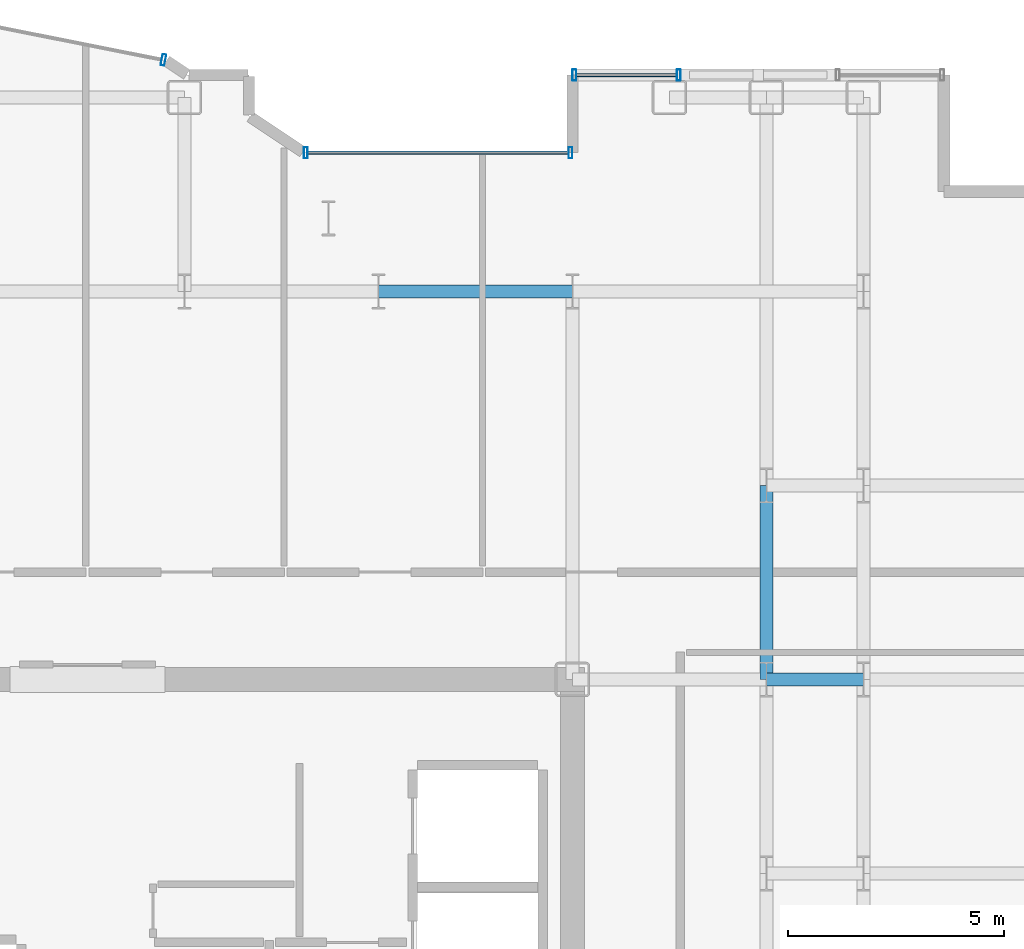
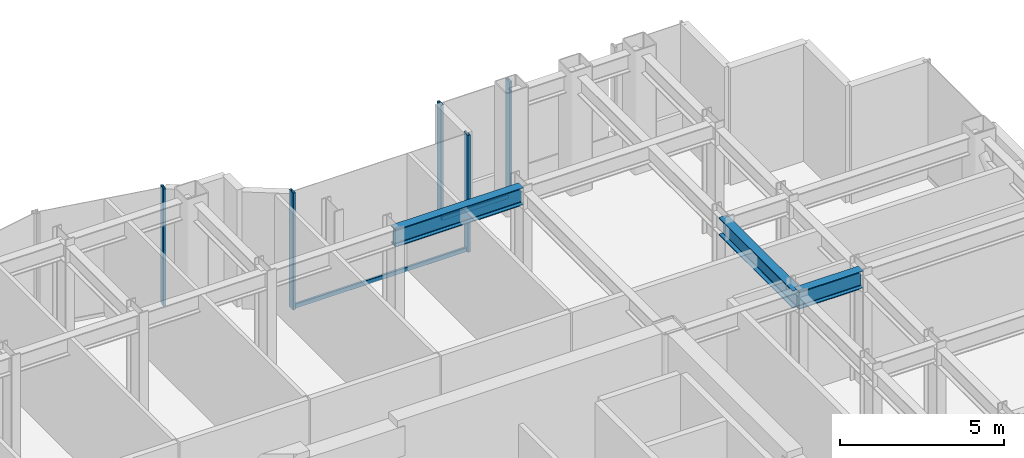
# One storey, part 15 of 26: 7 members, 3 beams, 3 elements without a shape of their own.
"""IFC4 building model written with IfcOpenShell, lengths in metres."""

from ifc_helpers import new_model, si_unit, direction, frame, origin, origin_2d, place, context, subcontext, project, spatial, hollow_rectangle, i_section, extrude, source, transform, mapped, material, layer, layer_set, material_profile, profile_set, type_object, element, aggregate, save


model = new_model("IFC4")

# Units and contexts
model_context = context("Model", 3, precision=1e-05, world=origin(), true_north=direction((0.0, 1.0)))
body_context = subcontext(model_context, "Body", "Model", "MODEL_VIEW")
ifc_project = project(units=[si_unit("LENGTHUNIT", "METRE"), si_unit("AREAUNIT", "SQUARE_METRE"), si_unit("VOLUMEUNIT", "CUBIC_METRE"), si_unit("PLANEANGLEUNIT", "RADIAN"), si_unit("MASSUNIT", "GRAM", prefix="KILO")], contexts=[model_context])

# Site, building, storey
site_placement = place(None, origin())
site = spatial("IfcSite", under=ifc_project, at=site_placement, CompositionType="ELEMENT")
building_placement = place(site_placement, origin())
building = spatial("IfcBuilding", under=site, at=building_placement, Name="Nefas-Gora Pilgrimage Tower", CompositionType="ELEMENT")
storey_placement = place(building_placement, frame((0.0, 0.0, 202.0)))
storey = spatial("IfcBuildingStorey", under=building, at=storey_placement, Name="L50", CompositionType="ELEMENT", Elevation=202.0)

# Beams
ifc_material_1 = material(Name="Steel S355", Category="steel")
ifc_material_profile_1 = material_profile(ifc_material_1, i_section(OverallWidth=0.300048828125, OverallDepth=0.64990234375, WebThickness=0.01611328125, FlangeThickness=0.031005859375, FilletRadius=0.027099609375, at=origin_2d()), Name="HEB 650")
ifc_profile_set_1 = profile_set([ifc_material_profile_1], Name="Steel S355")
beam_type = type_object("IfcBeamType", Name="BM-GIR-HEB650", PredefinedType="BEAM", material=ifc_profile_set_1)
shared_shape_1 = source(origin(), body_context, "Body", "SweptSolid", [
    extrude(i_section(OverallWidth=0.300048828125, OverallDepth=0.64990234375, WebThickness=0.01611328125, FlangeThickness=0.031005859375, FilletRadius=0.027099609375, at=origin_2d()), origin(), (0.0, 0.0, 1.0), 4.5),
])
for number, where, z_axis, x_axis, name in (
    (1, (6.75, 18.0, 4.02490234375), (1.0, 0.0, 0.0), (0.0, 1.0, 0.0), "L50 G-03 beam"),
    (2, (15.75, 9.0, 4.02490234375), (0.0, 1.0, 0.0), (-1.0, 0.0, 0.0), "L50 G-03 beam"),
):
    element("IfcBeam", number, at=place(storey_placement, frame(where, z_axis=z_axis, x_axis=x_axis)), inside=storey, type_object=beam_type, Name=name, PredefinedType="BEAM", context=body_context, shape_type="MappedRepresentation", body=[
        mapped(shared_shape_1, transform((0.0, 0.0, 0.0), x_axis=(1.0, 0.0, 0.0), y_axis=(0.0, 1.0, 0.0), z_axis=(0.0, 0.0, 1.0), scale=1.0)),
    ])
shared_shape_2 = source(origin(), body_context, "Body", "SweptSolid", [
    extrude(i_section(OverallWidth=0.300048828125, OverallDepth=0.64990234375, WebThickness=0.01611328125, FlangeThickness=0.031005859375, FilletRadius=0.027099609375, at=origin_2d()), origin(), (0.0, 0.0, 1.0), 2.25),
])
beam_placement = place(storey_placement, frame((15.75, 9.0, 4.02490234375), z_axis=(1.0, 0.0, 0.0), x_axis=(0.0, 1.0, 0.0)))
element("IfcBeam", 3, at=beam_placement, inside=storey, type_object=beam_type, Name="L50 G-03 beam", PredefinedType="BEAM", context=body_context, shape_type="MappedRepresentation", body=[
    mapped(shared_shape_2, transform((0.0, 0.0, 0.0), x_axis=(1.0, 0.0, 0.0), y_axis=(0.0, 1.0, 0.0), z_axis=(0.0, 0.0, 1.0), scale=1.0)),
])

# Curtain wall, members
ifc_material_2 = material(Name="Dark ceramic-fritted solar-control aluminium-glass curtain wall", Category="aluminium")
ifc_layer_1 = layer(ifc_material_2, 0.219970703125)
ifc_layer_set_1 = layer_set([ifc_layer_1], Name="Dark ceramic-fritted solar-control aluminium-glass curtain wall")
curtain_wall_type_1 = type_object("IfcCurtainWallType", Name="CW-SYS-5", PredefinedType="NOTDEFINED", material=ifc_layer_set_1)
curtain_wall_1_placement = place(storey_placement, origin())
curtain_wall_1 = element("IfcCurtainWall", 4, at=curtain_wall_1_placement, inside=storey, type_object=curtain_wall_type_1, Name="L50 Unitised Curtain Wall CW5", PredefinedType="NOTDEFINED")
ifc_material_3 = material(Name="Anodised architectural aluminium", Category="aluminium")
ifc_material_profile_2 = material_profile(ifc_material_3, hollow_rectangle(XDim=0.080078125, YDim=0.159912109375, WallThickness=0.00439453125, InnerFilletRadius=0.00439453125, OuterFilletRadius=0.009033203125, at=origin_2d()), Name="ALU TRANSOM 80x160")
ifc_profile_set_2 = profile_set([ifc_material_profile_2], Name="Anodised architectural aluminium")
member_type_1 = type_object("IfcMemberType", Name="CWM-TRN-5", PredefinedType="USERDEFINED", material=ifc_profile_set_2)
shared_shape_3 = source(origin(), body_context, "Body", "SweptSolid", [
    extrude(hollow_rectangle(XDim=0.080078125, YDim=0.159912109375, WallThickness=0.00439453125, InnerFilletRadius=0.00439453125, OuterFilletRadius=0.009033203125, at=origin_2d()), origin(), (0.0, 0.0, 1.0), 6.052001953125),
])
member_1_placement = place(storey_placement, frame((11.159912109375, 21.219970703125, 0.050048828125), z_axis=(-1.0, 0.0, 0.0), x_axis=(0.0, -1.0, 0.0)))
member_1 = element("IfcMember", 5, at=member_1_placement, type_object=member_type_1, Name="CW5 Spandrel Transom", ObjectType="TRANSOM", PredefinedType="USERDEFINED", context=body_context, shape_type="MappedRepresentation", body=[
    mapped(shared_shape_3, transform((0.0, 0.0, 0.0), x_axis=(1.0, 0.0, 0.0), y_axis=(0.0, 1.0, 0.0), z_axis=(0.0, 0.0, 1.0), scale=1.0)),
])
ifc_material_profile_3 = material_profile(ifc_material_3, hollow_rectangle(XDim=0.090087890625, YDim=0.260009765625, WallThickness=0.006103515625, InnerFilletRadius=0.006103515625, OuterFilletRadius=0.011962890625, at=origin_2d()), Name="ALU MULLION 90x260")
ifc_profile_set_3 = profile_set([ifc_material_profile_3], Name="Anodised architectural aluminium")
member_type_2 = type_object("IfcMemberType", Name="CWM-MUL-5", PredefinedType="MULLION", material=ifc_profile_set_3)
shared_shape_4 = source(origin(), body_context, "Body", "SweptSolid", [
    extrude(hollow_rectangle(XDim=0.090087890625, YDim=0.260009765625, WallThickness=0.006103515625, InnerFilletRadius=0.006103515625, OuterFilletRadius=0.011962890625, at=origin_2d()), origin(), (0.0, 0.0, 1.0), 4.35009765625),
])
member_2_placement = place(storey_placement, frame((11.205078125, 21.219970703125, 0.0), z_axis=(0.0, 0.0, 1.0), x_axis=(-1.0, 0.0, 0.0)))
member_2 = element("IfcMember", 6, at=member_2_placement, type_object=member_type_2, Name="CW5 Mullion 1", PredefinedType="MULLION", context=body_context, shape_type="MappedRepresentation", body=[
    mapped(shared_shape_4, transform((0.0, 0.0, 0.0), x_axis=(1.0, 0.0, 0.0), y_axis=(0.0, 1.0, 0.0), z_axis=(0.0, 0.0, 1.0), scale=1.0)),
])
member_3_placement = place(storey_placement, frame((5.06298828125, 21.219970703125, 0.0), z_axis=(0.0, 0.0, 1.0), x_axis=(-1.0, 0.0, 0.0)))
member_3 = element("IfcMember", 7, at=member_3_placement, type_object=member_type_2, Name="CW5 Mullion 2", PredefinedType="MULLION", context=body_context, shape_type="MappedRepresentation", body=[
    mapped(shared_shape_4, transform((0.0, 0.0, 0.0), x_axis=(1.0, 0.0, 0.0), y_axis=(0.0, 1.0, 0.0), z_axis=(0.0, 0.0, 1.0), scale=1.0)),
])
aggregate(curtain_wall_1, [member_2, member_3, member_1])

# Curtain wall, member
curtain_wall_2_placement = place(storey_placement, origin())
curtain_wall_2 = element("IfcCurtainWall", 8, at=curtain_wall_2_placement, inside=storey, type_object=curtain_wall_type_1, Name="L50 Unitised Curtain Wall CW5", PredefinedType="NOTDEFINED")
member_4_placement = place(storey_placement, frame((1.76318359375, 23.3740234375, 0.0), z_axis=(0.0, 0.0, 1.0), x_axis=(-0.980782896852, 0.195102304554, 0.0)))
member_4 = element("IfcMember", 9, at=member_4_placement, type_object=member_type_2, Name="CW5 Mullion 1", PredefinedType="MULLION", context=body_context, shape_type="MappedRepresentation", body=[
    mapped(shared_shape_4, transform((0.0, 0.0, 0.0), x_axis=(1.0, 0.0, 0.0), y_axis=(0.0, 1.0, 0.0), z_axis=(0.0, 0.0, 1.0), scale=1.0)),
])
aggregate(curtain_wall_2, [member_4])

# Curtain wall, members
ifc_layer_2 = layer(ifc_material_2, 0.219970703125)
ifc_layer_set_2 = layer_set([ifc_layer_2], Name="Dark ceramic-fritted solar-control aluminium-glass curtain wall")
curtain_wall_type_2 = type_object("IfcCurtainWallType", Name="CW-SYS-3", PredefinedType="NOTDEFINED", material=ifc_layer_set_2)
curtain_wall_3_placement = place(storey_placement, origin())
curtain_wall_3 = element("IfcCurtainWall", 10, at=curtain_wall_3_placement, inside=storey, type_object=curtain_wall_type_2, Name="L50 Unitised Curtain Wall CW3", PredefinedType="NOTDEFINED")
ifc_material_profile_4 = material_profile(ifc_material_3, hollow_rectangle(XDim=0.090087890625, YDim=0.260009765625, WallThickness=0.006103515625, InnerFilletRadius=0.006103515625, OuterFilletRadius=0.011962890625, at=origin_2d()), Name="ALU MULLION 90x260")
ifc_profile_set_4 = profile_set([ifc_material_profile_4], Name="Anodised architectural aluminium")
member_type_3 = type_object("IfcMemberType", Name="CWM-MUL-3", PredefinedType="MULLION", material=ifc_profile_set_4)
shared_shape_5 = source(origin(), body_context, "Body", "SweptSolid", [
    extrude(hollow_rectangle(XDim=0.090087890625, YDim=0.260009765625, WallThickness=0.006103515625, InnerFilletRadius=0.006103515625, OuterFilletRadius=0.011962890625, at=origin_2d()), origin(), (0.0, 0.0, 1.0), 4.35009765625),
])
member_5_placement = place(storey_placement, frame((13.715087890625, 23.02001953125, 0.0), z_axis=(0.0, 0.0, 1.0), x_axis=(-1.0, 0.0, 0.0)))
member_5 = element("IfcMember", 11, at=member_5_placement, type_object=member_type_3, Name="CW3 Mullion 1", PredefinedType="MULLION", context=body_context, shape_type="MappedRepresentation", body=[
    mapped(shared_shape_5, transform((0.0, 0.0, 0.0), x_axis=(1.0, 0.0, 0.0), y_axis=(0.0, 1.0, 0.0), z_axis=(0.0, 0.0, 1.0), scale=1.0)),
])
member_6_placement = place(storey_placement, frame((11.294921875, 23.02001953125, 0.0), z_axis=(0.0, 0.0, 1.0), x_axis=(-1.0, 0.0, 0.0)))
member_6 = element("IfcMember", 12, at=member_6_placement, type_object=member_type_3, Name="CW3 Mullion 2", PredefinedType="MULLION", context=body_context, shape_type="MappedRepresentation", body=[
    mapped(shared_shape_5, transform((0.0, 0.0, 0.0), x_axis=(1.0, 0.0, 0.0), y_axis=(0.0, 1.0, 0.0), z_axis=(0.0, 0.0, 1.0), scale=1.0)),
])
ifc_material_profile_5 = material_profile(ifc_material_3, hollow_rectangle(XDim=0.080078125, YDim=0.159912109375, WallThickness=0.00439453125, InnerFilletRadius=0.00439453125, OuterFilletRadius=0.009033203125, at=origin_2d()), Name="ALU TRANSOM 80x160")
ifc_profile_set_5 = profile_set([ifc_material_profile_5], Name="Anodised architectural aluminium")
member_type_4 = type_object("IfcMemberType", Name="CWM-TRN-3", PredefinedType="USERDEFINED", material=ifc_profile_set_5)
shared_shape_6 = source(origin(), body_context, "Body", "SweptSolid", [
    extrude(hollow_rectangle(XDim=0.080078125, YDim=0.159912109375, WallThickness=0.00439453125, InnerFilletRadius=0.00439453125, OuterFilletRadius=0.009033203125, at=origin_2d()), origin(), (0.0, 0.0, 1.0), 2.329833984375),
])
member_7_placement = place(storey_placement, frame((13.669921875, 23.02001953125, 0.050048828125), z_axis=(-1.0, 0.0, 0.0), x_axis=(0.0, -1.0, 0.0)))
member_7 = element("IfcMember", 13, at=member_7_placement, type_object=member_type_4, Name="CW3 Spandrel Transom", ObjectType="TRANSOM", PredefinedType="USERDEFINED", context=body_context, shape_type="MappedRepresentation", body=[
    mapped(shared_shape_6, transform((0.0, 0.0, 0.0), x_axis=(1.0, 0.0, 0.0), y_axis=(0.0, 1.0, 0.0), z_axis=(0.0, 0.0, 1.0), scale=1.0)),
])
aggregate(curtain_wall_3, [member_5, member_6, member_7])

save(model, "model.ifc")
